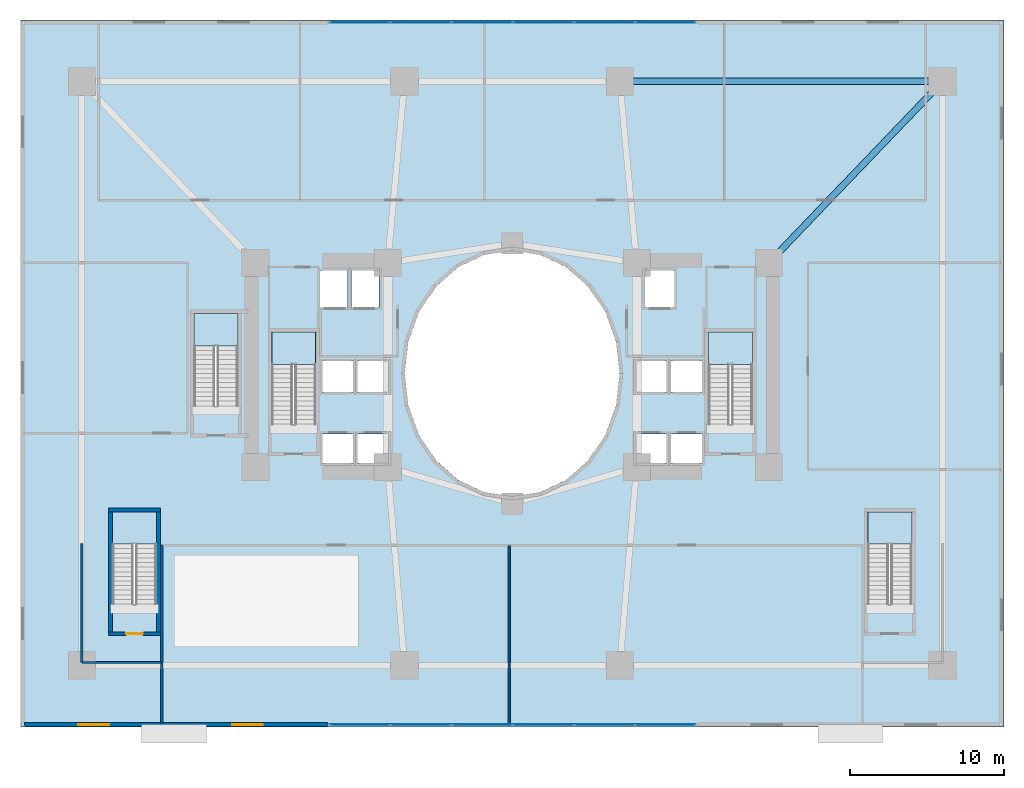
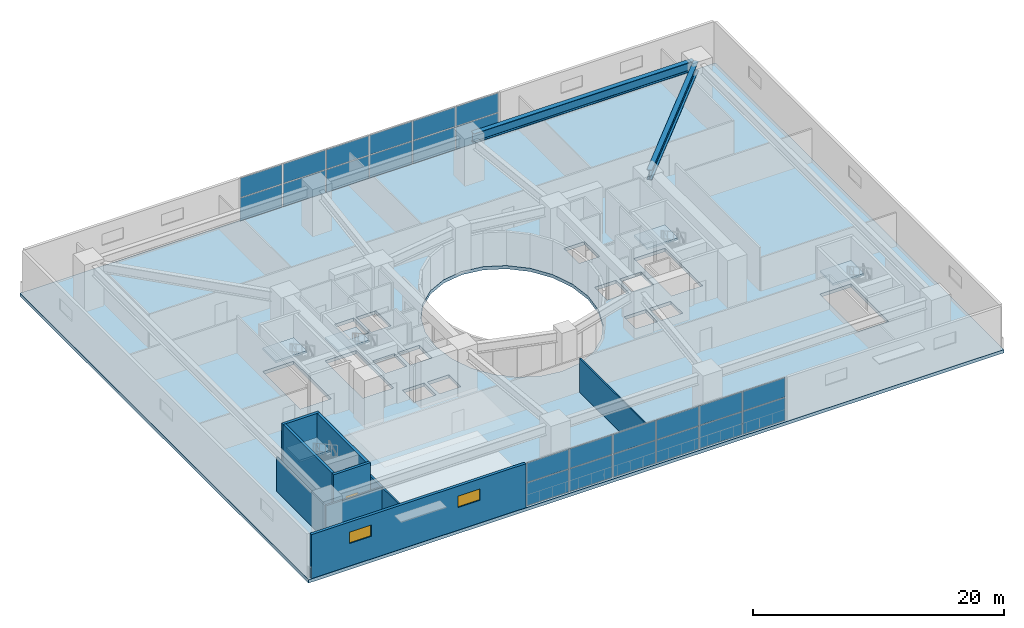
# One storey, part 10 of 20: 24 plates, 9 walls, 6 slabs, 2 beams, 2 windows, 1 door, 3 openings, 7 elements without a shape of their own.
"""IFC4 building model written with IfcOpenShell, lengths in metres."""

from ifc_helpers import new_model, si_unit, direction, frame, frame_2d, origin, origin_2d, place, context, subcontext, project, spatial, polyline, rectangle, i_section, outline, extrude, material, layer, layer_set, material_profile, profile_set, type_object, element, fill, aggregate, save


model = new_model("IFC4")

# Units and contexts
model_context = context("Model", 3, precision=1e-05, world=origin(), true_north=direction((0.0, 1.0)))
body_context = subcontext(model_context, "Body", "Model", "MODEL_VIEW")
ifc_project = project(units=[si_unit("LENGTHUNIT", "METRE"), si_unit("AREAUNIT", "SQUARE_METRE"), si_unit("VOLUMEUNIT", "CUBIC_METRE"), si_unit("PLANEANGLEUNIT", "RADIAN"), si_unit("MASSUNIT", "GRAM", prefix="KILO")], contexts=[model_context])

# Site, building, storey
site_placement = place(None, origin())
site = spatial("IfcSite", under=ifc_project, at=site_placement, CompositionType="ELEMENT")
building_placement = place(site_placement, origin())
building = spatial("IfcBuilding", under=site, at=building_placement, Name="Solvane Sanctuary Tower", CompositionType="ELEMENT")
storey_placement = place(building_placement, frame((0.0, 0.0, 18.39990234375)))
storey = spatial("IfcBuildingStorey", under=building, at=storey_placement, Name="L05", CompositionType="ELEMENT", Elevation=18.39990234375)

# Beams
ifc_material_1 = material(Name="Steel ASTM A913 Grade 65", Category="steel")
ifc_material_profile = material_profile(ifc_material_1, i_section(OverallWidth=0.423095703125, OverallDepth=0.947998046875, WebThickness=0.02392578125, FlangeThickness=0.042724609375, FilletRadius=0.02392578125, at=origin_2d()), Name="W36X302")
ifc_profile_set = profile_set([ifc_material_profile], Name="Steel ASTM A913 Grade 65")
beam_type = type_object("IfcBeamType", Name="Beam B-POD-GIRD W36X302", PredefinedType="BEAM", material=ifc_profile_set)
beam_1_placement = place(storey_placement, frame((59.64990234375, 42.0, 3.80419921875), z_axis=(-1.0, 0.0, 0.0), x_axis=(0.0, -1.0, 0.0)))
element("IfcBeam", 1, at=beam_1_placement, inside=storey, type_object=beam_type, Name="L05 Podium Primary Girder PG5", PredefinedType="BEAM", context=body_context, shape_type="SweptSolid", body=[
    extrude(i_section(OverallWidth=0.423095703125, OverallDepth=0.947998046875, WebThickness=0.02392578125, FlangeThickness=0.042724609375, FilletRadius=0.02392578125, at=origin_2d()), origin(), (0.0, 0.0, 1.0), 20.2998046875),
])
beam_2_placement = place(storey_placement, frame((59.7578125, 41.747314453125, 3.80419921875), z_axis=(-0.691633366234, -0.722248770654, 0.0), x_axis=(0.722248770654, -0.691633366234, 0.0)))
element("IfcBeam", 2, at=beam_2_placement, inside=storey, type_object=beam_type, Name="L05 Podium Primary Girder PG16", PredefinedType="BEAM", context=body_context, shape_type="SweptSolid", body=[
    extrude(i_section(OverallWidth=0.423095703125, OverallDepth=0.947998046875, WebThickness=0.02392578125, FlangeThickness=0.042724609375, FilletRadius=0.02392578125, at=origin_2d()), origin(), (0.0, 0.0, 1.0), 15.637939453125),
])

# Curtain wall, plates
ifc_material_2 = material(Name="Anodised Aluminium 6063-T6", Category="aluminium")
ifc_layer_1 = layer(ifc_material_2, 0.159912109375, Name="Anodised Aluminium 6063-T6")
ifc_layer_set_1 = layer_set([ifc_layer_1], Name="Anodised Aluminium 6063-T6")
curtain_wall_type = type_object("IfcCurtainWallType", Name="Curtain Wall CW-POD", PredefinedType="NOTDEFINED", material=ifc_layer_set_1)
curtain_wall_1_placement = place(storey_placement, origin())
curtain_wall_1 = element("IfcCurtainWall", 3, at=curtain_wall_1_placement, inside=storey, type_object=curtain_wall_type, Name="L05 Sanctuary Curtain Wall S2", PredefinedType="NOTDEFINED")
ifc_material_3 = material(Name="Dark Ceramic-Fritted Low-E Glass", Category="glass")
ifc_layer_2 = layer(ifc_material_3, 0.031982421875, Name="Dark Ceramic-Fritted Low-E Glass")
ifc_layer_set_2 = layer_set([ifc_layer_2], Name="Dark Ceramic-Fritted Low-E Glass")
plate_type = type_object("IfcPlateType", Name="Plate PN-FRIT-VIS", PredefinedType="CURTAIN_PANEL", material=ifc_layer_set_2)
plate_1_placement = place(storey_placement, frame((22.092041015625, 0.14990234375, 0.06494140625), z_axis=(0.0, 0.0, 1.0), x_axis=(1.0, 0.0, 0.0)))
plate_1 = element("IfcPlate", 4, at=plate_1_placement, type_object=plate_type, Name="CW-POD panel 1.1", PredefinedType="CURTAIN_PANEL", context=body_context, shape_type="SweptSolid", body=[
    extrude(rectangle(XDim=3.874267578125, YDim=0.031982421875, at=origin_2d()), origin(), (0.0, 0.0, 1.0), 2.202392578125),
])
plate_2_placement = place(storey_placement, frame((22.092041015625, 0.14990234375, 2.33251953125), z_axis=(0.0, 0.0, 1.0), x_axis=(1.0, 0.0, 0.0)))
plate_2 = element("IfcPlate", 5, at=plate_2_placement, type_object=plate_type, Name="CW-POD panel 1.2", PredefinedType="CURTAIN_PANEL", context=body_context, shape_type="SweptSolid", body=[
    extrude(rectangle(XDim=3.874267578125, YDim=0.031982421875, at=origin_2d()), origin(), (0.0, 0.0, 1.0), 1.882568359375),
])
plate_3_placement = place(storey_placement, frame((26.06005859375, 0.14990234375, 0.06494140625), z_axis=(0.0, 0.0, 1.0), x_axis=(1.0, 0.0, 0.0)))
plate_3 = element("IfcPlate", 6, at=plate_3_placement, type_object=plate_type, Name="CW-POD panel 2.1", PredefinedType="CURTAIN_PANEL", context=body_context, shape_type="SweptSolid", body=[
    extrude(rectangle(XDim=3.91162109375, YDim=0.031982421875, at=origin_2d()), origin(), (0.0, 0.0, 1.0), 2.202392578125),
])
plate_4_placement = place(storey_placement, frame((26.06005859375, 0.14990234375, 2.33251953125), z_axis=(0.0, 0.0, 1.0), x_axis=(1.0, 0.0, 0.0)))
plate_4 = element("IfcPlate", 7, at=plate_4_placement, type_object=plate_type, Name="CW-POD panel 2.2", PredefinedType="CURTAIN_PANEL", context=body_context, shape_type="SweptSolid", body=[
    extrude(rectangle(XDim=3.91162109375, YDim=0.031982421875, at=origin_2d()), origin(), (0.0, 0.0, 1.0), 1.882568359375),
])
plate_5_placement = place(storey_placement, frame((30.046630859375, 0.14990234375, 0.06494140625), z_axis=(0.0, 0.0, 1.0), x_axis=(1.0, 0.0, 0.0)))
plate_5 = element("IfcPlate", 8, at=plate_5_placement, type_object=plate_type, Name="CW-POD panel 3.1", PredefinedType="CURTAIN_PANEL", context=body_context, shape_type="SweptSolid", body=[
    extrude(rectangle(XDim=3.91162109375, YDim=0.031982421875, at=origin_2d()), origin(), (0.0, 0.0, 1.0), 2.202392578125),
])
plate_6_placement = place(storey_placement, frame((30.046630859375, 0.14990234375, 2.33251953125), z_axis=(0.0, 0.0, 1.0), x_axis=(1.0, 0.0, 0.0)))
plate_6 = element("IfcPlate", 9, at=plate_6_placement, type_object=plate_type, Name="CW-POD panel 3.2", PredefinedType="CURTAIN_PANEL", context=body_context, shape_type="SweptSolid", body=[
    extrude(rectangle(XDim=3.91162109375, YDim=0.031982421875, at=origin_2d()), origin(), (0.0, 0.0, 1.0), 1.882568359375),
])
plate_7_placement = place(storey_placement, frame((34.033447265625, 0.14990234375, 0.06494140625), z_axis=(0.0, 0.0, 1.0), x_axis=(1.0, 0.0, 0.0)))
plate_7 = element("IfcPlate", 10, at=plate_7_placement, type_object=plate_type, Name="CW-POD panel 4.1", PredefinedType="CURTAIN_PANEL", context=body_context, shape_type="SweptSolid", body=[
    extrude(rectangle(XDim=3.91162109375, YDim=0.031982421875, at=origin_2d()), origin(), (0.0, 0.0, 1.0), 2.202392578125),
])
plate_8_placement = place(storey_placement, frame((34.033447265625, 0.14990234375, 2.33251953125), z_axis=(0.0, 0.0, 1.0), x_axis=(1.0, 0.0, 0.0)))
plate_8 = element("IfcPlate", 11, at=plate_8_placement, type_object=plate_type, Name="CW-POD panel 4.2", PredefinedType="CURTAIN_PANEL", context=body_context, shape_type="SweptSolid", body=[
    extrude(rectangle(XDim=3.91162109375, YDim=0.031982421875, at=origin_2d()), origin(), (0.0, 0.0, 1.0), 1.882568359375),
])
plate_9_placement = place(storey_placement, frame((38.02001953125, 0.14990234375, 0.06494140625), z_axis=(0.0, 0.0, 1.0), x_axis=(1.0, 0.0, 0.0)))
plate_9 = element("IfcPlate", 12, at=plate_9_placement, type_object=plate_type, Name="CW-POD panel 5.1", PredefinedType="CURTAIN_PANEL", context=body_context, shape_type="SweptSolid", body=[
    extrude(rectangle(XDim=3.91162109375, YDim=0.031982421875, at=origin_2d()), origin(), (0.0, 0.0, 1.0), 2.202392578125),
])
plate_10_placement = place(storey_placement, frame((38.02001953125, 0.14990234375, 2.33251953125), z_axis=(0.0, 0.0, 1.0), x_axis=(1.0, 0.0, 0.0)))
plate_10 = element("IfcPlate", 13, at=plate_10_placement, type_object=plate_type, Name="CW-POD panel 5.2", PredefinedType="CURTAIN_PANEL", context=body_context, shape_type="SweptSolid", body=[
    extrude(rectangle(XDim=3.91162109375, YDim=0.031982421875, at=origin_2d()), origin(), (0.0, 0.0, 1.0), 1.882568359375),
])
plate_11_placement = place(storey_placement, frame((41.988037109375, 0.14990234375, 0.06494140625), z_axis=(0.0, 0.0, 1.0), x_axis=(1.0, 0.0, 0.0)))
plate_11 = element("IfcPlate", 14, at=plate_11_placement, type_object=plate_type, Name="CW-POD panel 6.1", PredefinedType="CURTAIN_PANEL", context=body_context, shape_type="SweptSolid", body=[
    extrude(rectangle(XDim=3.874267578125, YDim=0.031982421875, at=origin_2d()), origin(), (0.0, 0.0, 1.0), 2.202392578125),
])
plate_12_placement = place(storey_placement, frame((41.988037109375, 0.14990234375, 2.33251953125), z_axis=(0.0, 0.0, 1.0), x_axis=(1.0, 0.0, 0.0)))
plate_12 = element("IfcPlate", 15, at=plate_12_placement, type_object=plate_type, Name="CW-POD panel 6.2", PredefinedType="CURTAIN_PANEL", context=body_context, shape_type="SweptSolid", body=[
    extrude(rectangle(XDim=3.874267578125, YDim=0.031982421875, at=origin_2d()), origin(), (0.0, 0.0, 1.0), 1.882568359375),
])
aggregate(curtain_wall_1, [plate_1, plate_2, plate_3, plate_4, plate_5, plate_6, plate_7, plate_8, plate_9, plate_10, plate_11, plate_12])

curtain_wall_2_placement = place(storey_placement, origin())
curtain_wall_2 = element("IfcCurtainWall", 16, at=curtain_wall_2_placement, inside=storey, type_object=curtain_wall_type, Name="L05 Sanctuary Curtain Wall N2", PredefinedType="NOTDEFINED")
plate_13_placement = place(storey_placement, frame((41.988037109375, 45.85009765625, 0.06494140625), z_axis=(0.0, 0.0, 1.0), x_axis=(-1.0, 0.0, 0.0)))
plate_13 = element("IfcPlate", 17, at=plate_13_placement, type_object=plate_type, Name="CW-POD panel 1.1", PredefinedType="CURTAIN_PANEL", context=body_context, shape_type="SweptSolid", body=[
    extrude(rectangle(XDim=3.874267578125, YDim=0.031982421875, at=origin_2d()), origin(), (0.0, 0.0, 1.0), 2.202392578125),
])
plate_14_placement = place(storey_placement, frame((41.988037109375, 45.85009765625, 2.33251953125), z_axis=(0.0, 0.0, 1.0), x_axis=(-1.0, 0.0, 0.0)))
plate_14 = element("IfcPlate", 18, at=plate_14_placement, type_object=plate_type, Name="CW-POD panel 1.2", PredefinedType="CURTAIN_PANEL", context=body_context, shape_type="SweptSolid", body=[
    extrude(rectangle(XDim=3.874267578125, YDim=0.031982421875, at=origin_2d()), origin(), (0.0, 0.0, 1.0), 1.882568359375),
])
plate_15_placement = place(storey_placement, frame((38.02001953125, 45.85009765625, 0.06494140625), z_axis=(0.0, 0.0, 1.0), x_axis=(-1.0, 0.0, 0.0)))
plate_15 = element("IfcPlate", 19, at=plate_15_placement, type_object=plate_type, Name="CW-POD panel 2.1", PredefinedType="CURTAIN_PANEL", context=body_context, shape_type="SweptSolid", body=[
    extrude(rectangle(XDim=3.91162109375, YDim=0.031982421875, at=origin_2d()), origin(), (0.0, 0.0, 1.0), 2.202392578125),
])
plate_16_placement = place(storey_placement, frame((38.02001953125, 45.85009765625, 2.33251953125), z_axis=(0.0, 0.0, 1.0), x_axis=(-1.0, 0.0, 0.0)))
plate_16 = element("IfcPlate", 20, at=plate_16_placement, type_object=plate_type, Name="CW-POD panel 2.2", PredefinedType="CURTAIN_PANEL", context=body_context, shape_type="SweptSolid", body=[
    extrude(rectangle(XDim=3.91162109375, YDim=0.031982421875, at=origin_2d()), origin(), (0.0, 0.0, 1.0), 1.882568359375),
])
plate_17_placement = place(storey_placement, frame((34.033447265625, 45.85009765625, 0.06494140625), z_axis=(0.0, 0.0, 1.0), x_axis=(-1.0, 0.0, 0.0)))
plate_17 = element("IfcPlate", 21, at=plate_17_placement, type_object=plate_type, Name="CW-POD panel 3.1", PredefinedType="CURTAIN_PANEL", context=body_context, shape_type="SweptSolid", body=[
    extrude(rectangle(XDim=3.91162109375, YDim=0.031982421875, at=origin_2d()), origin(), (0.0, 0.0, 1.0), 2.202392578125),
])
plate_18_placement = place(storey_placement, frame((34.033447265625, 45.85009765625, 2.33251953125), z_axis=(0.0, 0.0, 1.0), x_axis=(-1.0, 0.0, 0.0)))
plate_18 = element("IfcPlate", 22, at=plate_18_placement, type_object=plate_type, Name="CW-POD panel 3.2", PredefinedType="CURTAIN_PANEL", context=body_context, shape_type="SweptSolid", body=[
    extrude(rectangle(XDim=3.91162109375, YDim=0.031982421875, at=origin_2d()), origin(), (0.0, 0.0, 1.0), 1.882568359375),
])
plate_19_placement = place(storey_placement, frame((30.046630859375, 45.85009765625, 0.06494140625), z_axis=(0.0, 0.0, 1.0), x_axis=(-1.0, 0.0, 0.0)))
plate_19 = element("IfcPlate", 23, at=plate_19_placement, type_object=plate_type, Name="CW-POD panel 4.1", PredefinedType="CURTAIN_PANEL", context=body_context, shape_type="SweptSolid", body=[
    extrude(rectangle(XDim=3.91162109375, YDim=0.031982421875, at=origin_2d()), origin(), (0.0, 0.0, 1.0), 2.202392578125),
])
plate_20_placement = place(storey_placement, frame((30.046630859375, 45.85009765625, 2.33251953125), z_axis=(0.0, 0.0, 1.0), x_axis=(-1.0, 0.0, 0.0)))
plate_20 = element("IfcPlate", 24, at=plate_20_placement, type_object=plate_type, Name="CW-POD panel 4.2", PredefinedType="CURTAIN_PANEL", context=body_context, shape_type="SweptSolid", body=[
    extrude(rectangle(XDim=3.91162109375, YDim=0.031982421875, at=origin_2d()), origin(), (0.0, 0.0, 1.0), 1.882568359375),
])
plate_21_placement = place(storey_placement, frame((26.06005859375, 45.85009765625, 0.06494140625), z_axis=(0.0, 0.0, 1.0), x_axis=(-1.0, 0.0, 0.0)))
plate_21 = element("IfcPlate", 25, at=plate_21_placement, type_object=plate_type, Name="CW-POD panel 5.1", PredefinedType="CURTAIN_PANEL", context=body_context, shape_type="SweptSolid", body=[
    extrude(rectangle(XDim=3.91162109375, YDim=0.031982421875, at=origin_2d()), origin(), (0.0, 0.0, 1.0), 2.202392578125),
])
plate_22_placement = place(storey_placement, frame((26.06005859375, 45.85009765625, 2.33251953125), z_axis=(0.0, 0.0, 1.0), x_axis=(-1.0, 0.0, 0.0)))
plate_22 = element("IfcPlate", 26, at=plate_22_placement, type_object=plate_type, Name="CW-POD panel 5.2", PredefinedType="CURTAIN_PANEL", context=body_context, shape_type="SweptSolid", body=[
    extrude(rectangle(XDim=3.91162109375, YDim=0.031982421875, at=origin_2d()), origin(), (0.0, 0.0, 1.0), 1.882568359375),
])
plate_23_placement = place(storey_placement, frame((22.092041015625, 45.85009765625, 0.06494140625), z_axis=(0.0, 0.0, 1.0), x_axis=(-1.0, 0.0, 0.0)))
plate_23 = element("IfcPlate", 27, at=plate_23_placement, type_object=plate_type, Name="CW-POD panel 6.1", PredefinedType="CURTAIN_PANEL", context=body_context, shape_type="SweptSolid", body=[
    extrude(rectangle(XDim=3.874267578125, YDim=0.031982421875, at=origin_2d()), origin(), (0.0, 0.0, 1.0), 2.202392578125),
])
plate_24_placement = place(storey_placement, frame((22.092041015625, 45.85009765625, 2.33251953125), z_axis=(0.0, 0.0, 1.0), x_axis=(-1.0, 0.0, 0.0)))
plate_24 = element("IfcPlate", 28, at=plate_24_placement, type_object=plate_type, Name="CW-POD panel 6.2", PredefinedType="CURTAIN_PANEL", context=body_context, shape_type="SweptSolid", body=[
    extrude(rectangle(XDim=3.874267578125, YDim=0.031982421875, at=origin_2d()), origin(), (0.0, 0.0, 1.0), 1.882568359375),
])
aggregate(curtain_wall_2, [plate_13, plate_14, plate_15, plate_16, plate_17, plate_18, plate_19, plate_20, plate_21, plate_22, plate_23, plate_24])

# Stair, slab
ifc_material_4 = material(Name="Concrete C45/55", Category="concrete")
stair_type_1 = type_object("IfcStairType", Name="Stair ST-TOW", PredefinedType="HALF_TURN_STAIR", material=ifc_material_4)
stair_1_placement = place(storey_placement, origin())
stair_1 = element("IfcStair", 29, at=stair_1_placement, inside=storey, type_object=stair_type_1, Name="L05 Exit Stair ST-1 West Core", PredefinedType="HALF_TURN_STAIR")
ifc_layer_3 = layer(ifc_material_4, 0.199951171875, Name="Concrete C45/55")
ifc_layer_set_3 = layer_set([ifc_layer_3], Name="Concrete C45/55")
slab_type_1 = type_object("IfcSlabType", Name="Slab SL-LAND-180", PredefinedType="LANDING", material=ifc_layer_set_3)
slab_1_placement = place(storey_placement, frame((0.0, 0.0, 2.10009765625)))
slab_1 = element("IfcSlab", 30, at=slab_1_placement, type_object=slab_type_1, Name="ST-1 landing 1", PredefinedType="LANDING", context=body_context, shape_type="SweptSolid", body=[
    extrude(outline(polyline([(19.219970703125, 23.60009765625), (19.219970703125, 25.699951171875), (16.360107421875, 25.699951171875), (16.360107421875, 23.60009765625), (19.219970703125, 23.60009765625)])), origin(), (0.0, 0.0, 1.0), 0.199951171875),
])
aggregate(stair_1, [slab_1])

stair_2_placement = place(storey_placement, origin())
stair_2 = element("IfcStair", 31, at=stair_2_placement, inside=storey, type_object=stair_type_1, Name="L05 Exit Stair ST-2 East Core", PredefinedType="HALF_TURN_STAIR")
slab_2_placement = place(storey_placement, frame((0.0, 0.0, 2.10009765625)))
slab_2 = element("IfcSlab", 32, at=slab_2_placement, type_object=slab_type_1, Name="ST-2 landing 1", PredefinedType="LANDING", context=body_context, shape_type="SweptSolid", body=[
    extrude(outline(polyline([(47.639892578125, 23.60009765625), (47.639892578125, 25.699951171875), (44.780029296875, 25.699951171875), (44.780029296875, 23.60009765625), (47.639892578125, 23.60009765625)])), origin(), (0.0, 0.0, 1.0), 0.199951171875),
])
aggregate(stair_2, [slab_2])

stair_3_placement = place(storey_placement, origin())
stair_3 = element("IfcStair", 33, at=stair_3_placement, inside=storey, type_object=stair_type_1, Name="L05 Exit Stair ST-3 Pilgrim Tower Stair", PredefinedType="HALF_TURN_STAIR")
slab_3_placement = place(storey_placement, frame((0.0, 0.0, 2.10009765625)))
slab_3 = element("IfcSlab", 34, at=slab_3_placement, type_object=slab_type_1, Name="ST-3 landing 1", PredefinedType="LANDING", context=body_context, shape_type="SweptSolid", body=[
    extrude(outline(polyline([(14.159912109375, 24.800048828125), (14.159912109375, 26.89990234375), (11.300048828125, 26.89990234375), (11.300048828125, 24.800048828125), (14.159912109375, 24.800048828125)])), origin(), (0.0, 0.0, 1.0), 0.199951171875),
])
aggregate(stair_3, [slab_3])

ifc_material_5 = material(Name="Concrete C50/60", Category="concrete")
stair_type_2 = type_object("IfcStairType", Name="Stair ST-POD", PredefinedType="HALF_TURN_STAIR", material=ifc_material_5)
stair_4_placement = place(storey_placement, origin())
stair_4 = element("IfcStair", 35, at=stair_4_placement, inside=storey, type_object=stair_type_2, Name="L05 Exit Stair ST-4 Metro West Stair", PredefinedType="HALF_TURN_STAIR")
slab_4_placement = place(storey_placement, frame((0.0, 0.0, 2.10009765625)))
slab_4 = element("IfcSlab", 36, at=slab_4_placement, type_object=slab_type_1, Name="ST-4 landing 1", PredefinedType="LANDING", context=body_context, shape_type="SweptSolid", body=[
    extrude(outline(polyline([(8.860107421875, 11.89990234375), (8.860107421875, 14.0), (6.0, 14.0), (6.0, 11.89990234375), (8.860107421875, 11.89990234375)])), origin(), (0.0, 0.0, 1.0), 0.199951171875),
])
aggregate(stair_4, [slab_4])

stair_type_3 = type_object("IfcStairType", Name="Stair ST-METRO", PredefinedType="HALF_TURN_STAIR", material=ifc_material_5)
stair_5_placement = place(storey_placement, origin())
stair_5 = element("IfcStair", 37, at=stair_5_placement, inside=storey, type_object=stair_type_3, Name="L05 Exit Stair ST-5 Metro East Stair", PredefinedType="HALF_TURN_STAIR")
slab_5_placement = place(storey_placement, frame((0.0, 0.0, 2.10009765625)))
slab_5 = element("IfcSlab", 38, at=slab_5_placement, type_object=slab_type_1, Name="ST-5 landing 1", PredefinedType="LANDING", context=body_context, shape_type="SweptSolid", body=[
    extrude(outline(polyline([(58.0, 11.89990234375), (58.0, 14.0), (55.139892578125, 14.0), (55.139892578125, 11.89990234375), (58.0, 11.89990234375)])), origin(), (0.0, 0.0, 1.0), 0.199951171875),
])
aggregate(stair_5, [slab_5])

# Slab
ifc_layer_4 = layer(ifc_material_5, 0.320068359375, Name="Concrete C50/60")
ifc_layer_set_4 = layer_set([ifc_layer_4], Name="Concrete C50/60")
slab_type_2 = type_object("IfcSlabType", Name="Slab SL-POD-300", PredefinedType="FLOOR", material=ifc_layer_set_4)
slab_6_placement = place(storey_placement, frame((0.0, 0.0, -0.31982421875)))
element("IfcSlab", 39, at=slab_6_placement, inside=storey, type_object=slab_type_2, Name="L05 Primary Structural Slab", PredefinedType="FLOOR", context=body_context, shape_type="SweptSolid", body=[
    extrude(outline(polyline([(0.0, 0.0), (64.0, 0.0), (64.0, 46.0), (0.0, 46.0), (0.0, 0.0)]), holes=[polyline([(38.761474609375, 20.929443359375), (38.062255859375, 19.0), (36.94970703125, 17.343017578125), (35.5, 16.07177734375), (33.811767578125, 15.272705078125), (32.0, 15.0), (30.188232421875, 15.272705078125), (28.5, 16.07177734375), (27.05029296875, 17.343017578125), (25.937744140625, 19.0), (25.238525390625, 20.929443359375), (25.0, 23.0), (25.238525390625, 25.070556640625), (25.937744140625, 27.0), (27.05029296875, 28.656982421875), (28.5, 29.92822265625), (30.188232421875, 30.727294921875), (32.0, 31.0), (33.811767578125, 30.727294921875), (35.5, 29.92822265625), (36.94970703125, 28.656982421875), (38.062255859375, 27.0), (38.761474609375, 25.070556640625), (39.0, 23.0), (38.761474609375, 20.929443359375)]), polyline([(16.360107421875, 19.699951171875), (16.360107421875, 25.699951171875), (19.219970703125, 25.699951171875), (19.219970703125, 19.699951171875), (16.360107421875, 19.699951171875)]), polyline([(44.780029296875, 19.699951171875), (44.780029296875, 25.699951171875), (47.639892578125, 25.699951171875), (47.639892578125, 19.699951171875), (44.780029296875, 19.699951171875)]), polyline([(11.300048828125, 20.89990234375), (11.300048828125, 26.89990234375), (14.159912109375, 26.89990234375), (14.159912109375, 20.89990234375), (11.300048828125, 20.89990234375)]), polyline([(6.0, 8.0), (6.0, 14.0), (8.860107421875, 14.0), (8.860107421875, 8.0), (6.0, 8.0)]), polyline([(55.139892578125, 8.0), (55.139892578125, 14.0), (58.0, 14.0), (58.0, 8.0), (55.139892578125, 8.0)]), polyline([(19.64990234375, 19.080078125), (21.64990234375, 19.080078125), (21.64990234375, 17.179931640625), (19.64990234375, 17.179931640625), (19.64990234375, 19.080078125)]), polyline([(21.949951171875, 19.080078125), (23.949951171875, 19.080078125), (23.949951171875, 17.179931640625), (21.949951171875, 17.179931640625), (21.949951171875, 19.080078125)]), polyline([(40.050048828125, 19.080078125), (42.050048828125, 19.080078125), (42.050048828125, 17.179931640625), (40.050048828125, 17.179931640625), (40.050048828125, 19.080078125)]), polyline([(42.35009765625, 19.080078125), (44.35009765625, 19.080078125), (44.35009765625, 17.179931640625), (42.35009765625, 17.179931640625), (42.35009765625, 19.080078125)]), polyline([(19.64990234375, 23.800048828125), (21.64990234375, 23.800048828125), (21.64990234375, 21.800048828125), (19.64990234375, 21.800048828125), (19.64990234375, 23.800048828125)]), polyline([(42.35009765625, 23.800048828125), (44.35009765625, 23.800048828125), (44.35009765625, 21.800048828125), (42.35009765625, 21.800048828125), (42.35009765625, 23.800048828125)]), polyline([(21.949951171875, 23.800048828125), (23.949951171875, 23.800048828125), (23.949951171875, 21.800048828125), (21.949951171875, 21.800048828125), (21.949951171875, 23.800048828125)]), polyline([(40.050048828125, 23.800048828125), (42.050048828125, 23.800048828125), (42.050048828125, 21.800048828125), (40.050048828125, 21.800048828125), (40.050048828125, 23.800048828125)]), polyline([(19.5, 29.699951171875), (21.300048828125, 29.699951171875), (21.300048828125, 27.300048828125), (19.5, 27.300048828125), (19.5, 29.699951171875)]), polyline([(21.550048828125, 29.699951171875), (23.35009765625, 29.699951171875), (23.35009765625, 27.300048828125), (21.550048828125, 27.300048828125), (21.550048828125, 29.699951171875)]), polyline([(40.64990234375, 29.699951171875), (42.550048828125, 29.699951171875), (42.550048828125, 27.300048828125), (40.64990234375, 27.300048828125), (40.64990234375, 29.699951171875)])]), origin(), (0.0, 0.0, 1.0), 0.31982421875),
])

# Walls
ifc_material_6 = material(Name="Acoustic Gypsum Partition Board")
ifc_layer_5 = layer(ifc_material_6, 0.14990234375, Name="Acoustic Gypsum Partition Board")
ifc_layer_set_5 = layer_set([ifc_layer_5], Name="Acoustic Gypsum Partition Board")
wall_type_1 = type_object("IfcWallType", Name="Wall W-CORR-150", PredefinedType="PARTITIONING", material=ifc_layer_set_5)
wall_1_placement = place(storey_placement, frame((9.199951171875, 0.25, 0.0), z_axis=(0.0, 0.0, 1.0), x_axis=(0.0, 1.0, 0.0)))
element("IfcWall", 40, at=wall_1_placement, inside=storey, type_object=wall_type_1, Name="L05 West Hall End Wall", PredefinedType="PARTITIONING", context=body_context, shape_type="SweptSolid", body=[
    extrude(rectangle(XDim=11.580078125, YDim=0.14990234375, at=frame_2d((5.7900390625, 0.0))), origin(), (0.0, 0.0, 1.0), 3.300048828125),
])
wall_2_placement = place(storey_placement, frame((4.0, 4.199951171875, 0.0), z_axis=(0.0, 0.0, 1.0), x_axis=(0.0, 1.0, 0.0)))
element("IfcWall", 41, at=wall_2_placement, inside=storey, type_object=wall_type_1, Name="L05 ST-4 Link West Wall", PredefinedType="PARTITIONING", context=body_context, shape_type="SweptSolid", body=[
    extrude(rectangle(XDim=7.75, YDim=0.14990234375, at=frame_2d((3.875, 0.0))), origin(), (0.0, 0.0, 1.0), 3.300048828125),
])
wall_3_placement = place(storey_placement, frame((4.0, 4.199951171875, 0.0), z_axis=(0.0, 0.0, 1.0), x_axis=(1.0, 0.0, 0.0)))
element("IfcWall", 42, at=wall_3_placement, inside=storey, type_object=wall_type_1, Name="L05 ST-4 Lobby South Wall", PredefinedType="PARTITIONING", context=body_context, shape_type="SweptSolid", body=[
    extrude(rectangle(XDim=5.199951171875, YDim=0.14990234375, at=frame_2d((2.60009765625, 0.0))), origin(), (0.0, 0.0, 1.0), 3.300048828125),
])

# Wall, openings, windows
ifc_material_7 = material(Name="Precast concrete C40/50", Category="concrete")
ifc_layer_6 = layer(ifc_material_7, 0.260009765625, Name="Precast concrete C40/50")
ifc_layer_set_6 = layer_set([ifc_layer_6], Name="Precast concrete C40/50")
wall_type_2 = type_object("IfcWallType", Name="Wall W-EXT-250", PredefinedType="STANDARD", material=ifc_layer_set_6)
wall_4_placement = place(storey_placement, frame((0.280029296875, 0.14990234375, 0.0), z_axis=(0.0, 0.0, 1.0), x_axis=(1.0, 0.0, 0.0)))
wall_4 = element("IfcWall", 43, at=wall_4_placement, inside=storey, type_object=wall_type_2, Name="L05 Podium Facade Wall S1", PredefinedType="STANDARD", context=body_context, shape_type="SweptSolid", body=[
    extrude(rectangle(XDim=19.719970703125, YDim=0.260009765625, at=frame_2d((9.85986328125, 0.0))), origin(), (0.0, 0.0, 1.0), 4.280029296875),
])
opening_1_placement = place(wall_4_placement, frame((3.5, 0.0, 2.199951171875)))
opening_1 = element("IfcOpeningElement", 44, at=opening_1_placement, cuts=wall_4, Name="Opening WN-CLER-2000", PredefinedType="OPENING", context=body_context, shape_type="SweptSolid", body=[
    extrude(rectangle(XDim=2.0, YDim=1.10009765625, at=frame_2d((1.0, 0.550048828125))), frame((0.0, 0.139892578125, 0.0), z_axis=(0.0, -1.0, 0.0), x_axis=(1.0, 0.0, 0.0)), (0.0, 0.0, 1.0), 0.280029296875),
])
opening_2_placement = place(wall_4_placement, frame((13.5, 0.0, 2.199951171875)))
opening_2 = element("IfcOpeningElement", 45, at=opening_2_placement, cuts=wall_4, Name="Opening WN-CLER-2000", PredefinedType="OPENING", context=body_context, shape_type="SweptSolid", body=[
    extrude(rectangle(XDim=2.0, YDim=1.10009765625, at=frame_2d((1.0, 0.550048828125))), frame((0.0, 0.139892578125, 0.0), z_axis=(0.0, -1.0, 0.0), x_axis=(1.0, 0.0, 0.0)), (0.0, 0.0, 1.0), 0.280029296875),
])
window_type = type_object("IfcWindowType", Name="Window WN-CLER-2000", PartitioningType="SINGLE_PANEL", PredefinedType="WINDOW", material=ifc_material_3)
window_1_placement = place(opening_1_placement, origin())
window_1 = element("IfcWindow", 46, at=window_1_placement, inside=storey, type_object=window_type, Name="L05 Podium Window S1-3", OverallHeight=1.10009765625, OverallWidth=2.0, PartitioningType="SINGLE_PANEL", PredefinedType="WINDOW", context=body_context, shape_type="SweptSolid", body=[
    extrude(rectangle(XDim=2.0, YDim=1.10009765625, at=frame_2d((1.0, 0.550048828125))), frame((0.0, 0.030029296875, 0.0), z_axis=(0.0, -1.0, 0.0), x_axis=(1.0, 0.0, 0.0)), (0.0, 0.0, 1.0), 0.06005859375),
])
fill(opening_1, window_1)
window_2_placement = place(opening_2_placement, origin())
window_2 = element("IfcWindow", 47, at=window_2_placement, inside=storey, type_object=window_type, Name="L05 Podium Window S1-13", OverallHeight=1.10009765625, OverallWidth=2.0, PartitioningType="SINGLE_PANEL", PredefinedType="WINDOW", context=body_context, shape_type="SweptSolid", body=[
    extrude(rectangle(XDim=2.0, YDim=1.10009765625, at=frame_2d((1.0, 0.550048828125))), frame((0.0, 0.030029296875, 0.0), z_axis=(0.0, -1.0, 0.0), x_axis=(1.0, 0.0, 0.0)), (0.0, 0.0, 1.0), 0.06005859375),
])
fill(opening_2, window_2)

# Wall
ifc_layer_7 = layer(ifc_material_6, 0.1201171875, Name="Acoustic Gypsum Partition Board")
ifc_layer_set_7 = layer_set([ifc_layer_7], Name="Acoustic Gypsum Partition Board")
wall_type_3 = type_object("IfcWallType", Name="Wall W-MOV-100", PredefinedType="MOVABLE", material=ifc_layer_set_7)
wall_5_placement = place(storey_placement, frame((31.800048828125, 0.25, 0.0), z_axis=(0.0, 0.0, 1.0), x_axis=(0.0, 1.0, 0.0)))
element("IfcWall", 48, at=wall_5_placement, inside=storey, type_object=wall_type_3, Name="L05 Hall Dividing Partition CHAP", PredefinedType="MOVABLE", context=body_context, shape_type="SweptSolid", body=[
    extrude(rectangle(XDim=11.530029296875, YDim=0.1201171875, at=frame_2d((5.76513671875, 0.0))), origin(), (0.0, 0.0, 1.0), 3.300048828125),
])

# Wall, opening, door
ifc_layer_8 = layer(ifc_material_5, 0.25, Name="Concrete C50/60")
ifc_layer_set_8 = layer_set([ifc_layer_8], Name="Concrete C50/60")
wall_type_4 = type_object("IfcWallType", Name="Wall W-SHAFT-250", PredefinedType="SOLIDWALL", material=ifc_layer_set_8)
wall_6_placement = place(storey_placement, frame((5.7451171875, 6.070068359375, 0.0), z_axis=(0.0, 0.0, 1.0), x_axis=(1.0, 0.0, 0.0)))
wall_6 = element("IfcWall", 49, at=wall_6_placement, inside=storey, type_object=wall_type_4, Name="L05 ST-4 Load-Bearing Shaft Wall S", PredefinedType="SOLIDWALL", context=body_context, shape_type="SweptSolid", body=[
    extrude(rectangle(XDim=3.369873046875, YDim=0.25, at=frame_2d((1.68505859375, 0.0))), origin(), (0.0, 0.0, 1.0), 4.60009765625),
])
opening_3_placement = place(wall_6_placement, frame((1.135009765625, 0.0, 0.0)))
opening_3 = element("IfcOpeningElement", 50, at=opening_3_placement, cuts=wall_6, Name="Opening D-L05-04", PredefinedType="OPENING", context=body_context, shape_type="SweptSolid", body=[
    extrude(rectangle(XDim=1.10009765625, YDim=2.10009765625, at=frame_2d((0.550048828125, 1.050048828125))), frame((0.0, 0.135009765625, 0.0), z_axis=(0.0, -1.0, 0.0), x_axis=(1.0, 0.0, 0.0)), (0.0, 0.0, 1.0), 0.27001953125),
])
ifc_material_8 = material(Name="Architectural Stainless Steel 316", Category="steel")
door_type = type_object("IfcDoorType", Name="Door D-STAIR", OperationType="NOTDEFINED", PredefinedType="DOOR", material=ifc_material_8)
door_placement = place(opening_3_placement, origin())
door = element("IfcDoor", 51, at=door_placement, inside=storey, type_object=door_type, Name="L05 ST-4 Exit Stair Fire Door", OperationType="SINGLE_SWING_RIGHT", OverallHeight=2.10009765625, OverallWidth=1.10009765625, PredefinedType="DOOR", context=body_context, shape_type="SweptSolid", body=[
    extrude(rectangle(XDim=1.10009765625, YDim=2.10009765625, at=frame_2d((0.550048828125, 1.050048828125))), frame((0.0, 0.02490234375, 0.0), z_axis=(0.0, -1.0, 0.0), x_axis=(1.0, 0.0, 0.0)), (0.0, 0.0, 1.0), 0.050048828125),
])
fill(opening_3, door)

# Walls
wall_7_placement = place(storey_placement, frame((5.7451171875, 14.1298828125, 0.0), z_axis=(0.0, 0.0, 1.0), x_axis=(1.0, 0.0, 0.0)))
element("IfcWall", 52, at=wall_7_placement, inside=storey, type_object=wall_type_4, Name="L05 ST-4 Load-Bearing Shaft Wall N", PredefinedType="SOLIDWALL", context=body_context, shape_type="SweptSolid", body=[
    extrude(rectangle(XDim=3.369873046875, YDim=0.25, at=frame_2d((1.68505859375, 0.0))), origin(), (0.0, 0.0, 1.0), 4.60009765625),
])
for number, where, z_axis, x_axis, name in (
    (53, (5.8701171875, 6.195068359375, 0.0), (0.0, 0.0, 1.0), (0.0, 1.0, 0.0), "L05 ST-4 Load-Bearing Shaft Wall W"),
    (54, (8.989990234375, 6.195068359375, 0.0), (0.0, 0.0, 1.0), (0.0, 1.0, 0.0), "L05 ST-4 Load-Bearing Shaft Wall E"),
):
    element("IfcWall", number, at=place(storey_placement, frame(where, z_axis=z_axis, x_axis=x_axis)), inside=storey, type_object=wall_type_4, Name=name, PredefinedType="SOLIDWALL", context=body_context, shape_type="SweptSolid", body=[
        extrude(rectangle(XDim=7.809814453125, YDim=0.25, at=frame_2d((3.90478515625, 0.0))), origin(), (0.0, 0.0, 1.0), 4.60009765625),
    ])

save(model, "model.ifc")
